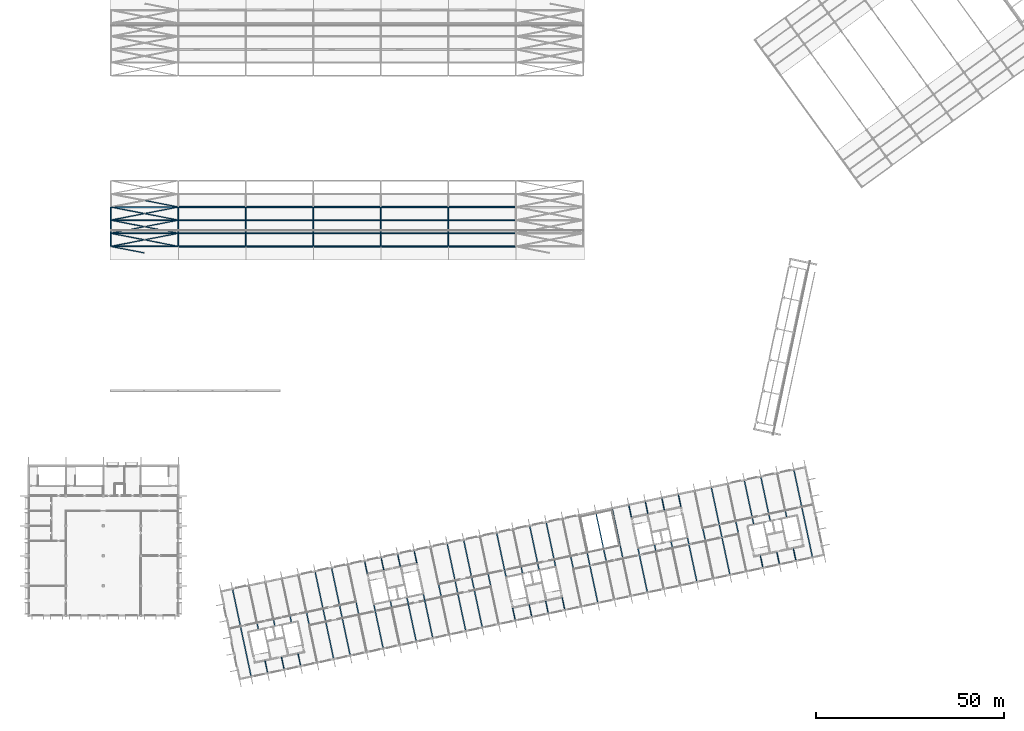
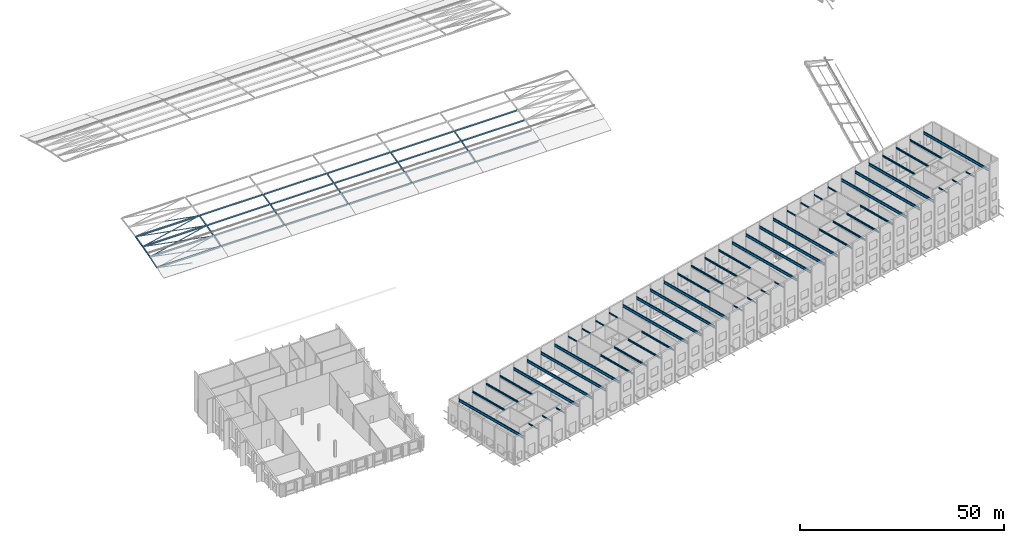
# One storey, part 10 of 69: 53 beams, 53 members.
"""IFC4 building model written with IfcOpenShell, lengths in metres."""

from ifc_helpers import new_model, si_unit, direction, frame, origin, origin_2d, place, context, subcontext, project, spatial, hollow_circle, i_section, extrude, material, material_profile, profile_set, type_object, element, save


model = new_model("IFC4")

# Units and contexts
model_context = context("Model", 3, precision=1e-05, world=origin(), true_north=direction((0.0, 1.0)))
body_context = subcontext(model_context, "Body", "Model", "MODEL_VIEW")
ifc_project = project(units=[si_unit("LENGTHUNIT", "METRE"), si_unit("AREAUNIT", "SQUARE_METRE"), si_unit("VOLUMEUNIT", "CUBIC_METRE"), si_unit("PLANEANGLEUNIT", "RADIAN"), si_unit("MASSUNIT", "GRAM", prefix="KILO")], contexts=[model_context])

# Site, building, storey
site_placement = place(None, origin())
site = spatial("IfcSite", under=ifc_project, at=site_placement, CompositionType="ELEMENT")
building_placement = place(site_placement, origin())
building = spatial("IfcBuilding", under=site, at=building_placement, Name="Okhra Congress Centre", CompositionType="ELEMENT")
storey_placement = place(building_placement, frame((0.0, 0.0, 16.800048828125)))
storey = spatial("IfcBuildingStorey", under=building, at=storey_placement, Name="L03", CompositionType="ELEMENT", Elevation=16.800048828125)

# Members
ifc_material_1 = material(Name="Steel S355J2H", Category="steel")
ifc_material_profile_1 = material_profile(ifc_material_1, hollow_circle(Radius=0.06982421875, WallThickness=0.00634765625, at=origin_2d()), Name="CHS 139.7x6.3")
ifc_profile_set_1 = profile_set([ifc_material_profile_1], Name="Steel S355J2H")
member_type_1 = type_object("IfcMemberType", Name="CHS 139.7x6.3", PredefinedType="BRACE", material=ifc_profile_set_1)
member_1_placement = place(storey_placement, frame((36.844970703125, 140.780029296875, 0.21240234375), z_axis=(-0.979323118912, 0.190430842458, 0.068281205364), x_axis=(-0.190876325854, -0.981614093332, 0.0)))
element("IfcMember", 1, at=member_1_placement, inside=storey, type_object=member_type_1, Name="EH.MEM.L03.XB1-03-2b", PredefinedType="BRACE", context=body_context, shape_type="SweptSolid", body=[
    extrude(hollow_circle(Radius=0.06982421875, WallThickness=0.00634765625, at=origin_2d()), origin(), (0.0, 0.0, 1.0), 8.84228515625),
])
member_2_placement = place(storey_placement, frame((28.185546875, 142.5361328125, 0.84033203125), z_axis=(0.97982688214, 0.190515862858, 0.06035716225), x_axis=(-0.190863837306, 0.981616521667, 0.0)))
element("IfcMember", 2, at=member_2_placement, inside=storey, type_object=member_type_1, Name="EH.MEM.L03.XB1-04-1", PredefinedType="BRACE", context=body_context, shape_type="SweptSolid", body=[
    extrude(hollow_circle(Radius=0.06982421875, WallThickness=0.00634765625, at=origin_2d()), origin(), (0.0, 0.0, 1.0), 17.991943359375),
])
for number, where, z_axis, x_axis, name in (
    (3, (45.814453125, 142.5361328125, 0.84033203125), (-0.97982466082, 0.190521461826, 0.060375546641), (-0.190869659102, -0.981615389669, 0.0), "EH.MEM.L03.XB1-04-2a"),
    (4, (36.8427734375, 144.280517578125, 1.39306640625), (-0.979826295079, 0.190521779599, 0.060348015467), (-0.190869659102, -0.981615389669, 0.0), "EH.MEM.L03.XB1-04-2b"),
):
    element("IfcMember", number, at=place(storey_placement, frame(where, z_axis=z_axis, x_axis=x_axis)), inside=storey, type_object=member_type_1, Name=name, PredefinedType="BRACE", context=body_context, shape_type="SweptSolid", body=[
        extrude(hollow_circle(Radius=0.06982421875, WallThickness=0.00634765625, at=origin_2d()), origin(), (0.0, 0.0, 1.0), 8.83544921875),
    ])
member_3_placement = place(storey_placement, frame((28.185546875, 146.0361328125, 1.94775390625), z_axis=(0.980253173661, 0.190598750252, 0.052686164511), x_axis=(-0.190863837306, 0.981616521667, 0.0)))
element("IfcMember", 5, at=member_3_placement, inside=storey, type_object=member_type_1, Name="EH.MEM.L03.XB1-05-1", PredefinedType="BRACE", context=body_context, shape_type="SweptSolid", body=[
    extrude(hollow_circle(Radius=0.06982421875, WallThickness=0.00634765625, at=origin_2d()), origin(), (0.0, 0.0, 1.0), 17.984130859375),
])
for number, where, z_axis, x_axis, name in (
    (6, (45.814453125, 146.0361328125, 1.94775390625), (-0.980254647479, 0.19058740544, 0.052699781629), (-0.190852614039, -0.981618703833, 0.0), "EH.MEM.L03.XB1-05-2a"),
    (7, (36.841064453125, 147.781005859375, 2.43017578125), (-0.980256075454, 0.190587683076, 0.052672208945), (-0.190852614039, -0.981618703833, 0.0), "EH.MEM.L03.XB1-05-2b"),
):
    element("IfcMember", number, at=place(storey_placement, frame(where, z_axis=z_axis, x_axis=x_axis)), inside=storey, type_object=member_type_1, Name=name, PredefinedType="BRACE", context=body_context, shape_type="SweptSolid", body=[
        extrude(hollow_circle(Radius=0.06982421875, WallThickness=0.00634765625, at=origin_2d()), origin(), (0.0, 0.0, 1.0), 8.829833984375),
    ])
member_4_placement = place(storey_placement, frame((28.185546875, 149.5361328125, 2.913818359375), z_axis=(0.980610453265, 0.190668219087, 0.045263331497), x_axis=(-0.190863837306, 0.981616521667, 0.0)))
element("IfcMember", 8, at=member_4_placement, inside=storey, type_object=member_type_1, Name="EH.MEM.L03.XB1-06-1", PredefinedType="BRACE", context=body_context, shape_type="SweptSolid", body=[
    extrude(hollow_circle(Radius=0.06982421875, WallThickness=0.00634765625, at=origin_2d()), origin(), (0.0, 0.0, 1.0), 17.9775390625),
])
for number, where, z_axis, x_axis, name in (
    (9, (45.814453125, 149.5361328125, 2.913818359375), (-0.98061091853, 0.190666660568, 0.045259816699), (-0.190862246763, -0.981616830928, 0.0), "EH.MEM.L03.XB1-06-2a"),
    (10, (36.83935546875, 151.28125, 3.328125), (-0.98061091853, 0.190666660568, 0.045259816699), (-0.190862246763, -0.981616830928, 0.0), "EH.MEM.L03.XB1-06-2b"),
):
    element("IfcMember", number, at=place(storey_placement, frame(where, z_axis=z_axis, x_axis=x_axis)), inside=storey, type_object=member_type_1, Name=name, PredefinedType="BRACE", context=body_context, shape_type="SweptSolid", body=[
        extrude(hollow_circle(Radius=0.06982421875, WallThickness=0.00634765625, at=origin_2d()), origin(), (0.0, 0.0, 1.0), 8.824951171875),
    ])
member_5_placement = place(storey_placement, frame((45.814453125, 153.0361328125, 3.7431640625), z_axis=(-0.980907961626, 0.190723646725, 0.038000807859), x_axis=(-0.190861504377, -0.981616975274, 0.0)))
element("IfcMember", 11, at=member_5_placement, inside=storey, type_object=member_type_1, Name="EH.MEM.L03.XB1-07-2a", PredefinedType="BRACE", context=body_context, shape_type="SweptSolid", body=[
    extrude(hollow_circle(Radius=0.06982421875, WallThickness=0.00634765625, at=origin_2d()), origin(), (0.0, 0.0, 1.0), 8.821044921875),
])
ifc_material_profile_2 = material_profile(ifc_material_1, hollow_circle(Radius=0.203125, WallThickness=0.01611328125, at=origin_2d()), Name="CHS 406.4x16.0")
ifc_profile_set_2 = profile_set([ifc_material_profile_2], Name="Steel S355J2H")
member_type_2 = type_object("IfcMemberType", Name="CHS 406.4x16.0", PredefinedType="CHORD", material=ifc_profile_set_2)
member_6_placement = place(storey_placement, frame((28.0, 146.0, 1.937744140625), z_axis=(0.0, 0.96385043732, 0.266443867404), x_axis=(-1.0, 0.0, 0.0)))
element("IfcMember", 12, at=member_6_placement, inside=storey, type_object=member_type_2, Name="EH.MEM.L03.T1-TOP-05", PredefinedType="CHORD", context=body_context, shape_type="SweptSolid", body=[
    extrude(hollow_circle(Radius=0.203125, WallThickness=0.01611328125, at=origin_2d()), origin(), (0.0, 0.0, 1.0), 3.63134765625),
])
member_7_placement = place(storey_placement, frame((28.0, 149.5, 2.9052734375), z_axis=(0.0, 0.972964008489, 0.230956788566), x_axis=(-1.0, 0.0, 0.0)))
element("IfcMember", 13, at=member_7_placement, inside=storey, type_object=member_type_2, Name="EH.MEM.L03.T1-TOP-06", PredefinedType="CHORD", context=body_context, shape_type="SweptSolid", body=[
    extrude(hollow_circle(Radius=0.203125, WallThickness=0.01611328125, at=origin_2d()), origin(), (0.0, 0.0, 1.0), 3.59716796875),
])
member_8_placement = place(storey_placement, frame((46.0, 146.0, 1.937744140625), z_axis=(0.0, 0.96385043732, 0.266443867404), x_axis=(-1.0, 0.0, 0.0)))
element("IfcMember", 14, at=member_8_placement, inside=storey, type_object=member_type_2, Name="EH.MEM.L03.T2-TOP-05", PredefinedType="CHORD", context=body_context, shape_type="SweptSolid", body=[
    extrude(hollow_circle(Radius=0.203125, WallThickness=0.01611328125, at=origin_2d()), origin(), (0.0, 0.0, 1.0), 3.63134765625),
])
member_9_placement = place(storey_placement, frame((46.0, 149.5, 2.9052734375), z_axis=(0.0, 0.972964008489, 0.230956788566), x_axis=(-1.0, 0.0, 0.0)))
element("IfcMember", 15, at=member_9_placement, inside=storey, type_object=member_type_2, Name="EH.MEM.L03.T2-TOP-06", PredefinedType="CHORD", context=body_context, shape_type="SweptSolid", body=[
    extrude(hollow_circle(Radius=0.203125, WallThickness=0.01611328125, at=origin_2d()), origin(), (0.0, 0.0, 1.0), 3.59716796875),
])
member_10_placement = place(storey_placement, frame((64.0, 146.0, 1.937744140625), z_axis=(0.0, 0.96385043732, 0.266443867404), x_axis=(-1.0, 0.0, 0.0)))
element("IfcMember", 16, at=member_10_placement, inside=storey, type_object=member_type_2, Name="EH.MEM.L03.T3-TOP-05", PredefinedType="CHORD", context=body_context, shape_type="SweptSolid", body=[
    extrude(hollow_circle(Radius=0.203125, WallThickness=0.01611328125, at=origin_2d()), origin(), (0.0, 0.0, 1.0), 3.63134765625),
])
member_11_placement = place(storey_placement, frame((64.0, 149.5, 2.9052734375), z_axis=(0.0, 0.972964008489, 0.230956788566), x_axis=(-1.0, 0.0, 0.0)))
element("IfcMember", 17, at=member_11_placement, inside=storey, type_object=member_type_2, Name="EH.MEM.L03.T3-TOP-06", PredefinedType="CHORD", context=body_context, shape_type="SweptSolid", body=[
    extrude(hollow_circle(Radius=0.203125, WallThickness=0.01611328125, at=origin_2d()), origin(), (0.0, 0.0, 1.0), 3.59716796875),
])
member_12_placement = place(storey_placement, frame((82.0, 146.0, 1.937744140625), z_axis=(0.0, 0.96385043732, 0.266443867404), x_axis=(-1.0, 0.0, 0.0)))
element("IfcMember", 18, at=member_12_placement, inside=storey, type_object=member_type_2, Name="EH.MEM.L03.T4-TOP-05", PredefinedType="CHORD", context=body_context, shape_type="SweptSolid", body=[
    extrude(hollow_circle(Radius=0.203125, WallThickness=0.01611328125, at=origin_2d()), origin(), (0.0, 0.0, 1.0), 3.63134765625),
])
member_13_placement = place(storey_placement, frame((82.0, 149.5, 2.9052734375), z_axis=(0.0, 0.972964008489, 0.230956788566), x_axis=(-1.0, 0.0, 0.0)))
element("IfcMember", 19, at=member_13_placement, inside=storey, type_object=member_type_2, Name="EH.MEM.L03.T4-TOP-06", PredefinedType="CHORD", context=body_context, shape_type="SweptSolid", body=[
    extrude(hollow_circle(Radius=0.203125, WallThickness=0.01611328125, at=origin_2d()), origin(), (0.0, 0.0, 1.0), 3.59716796875),
])
member_14_placement = place(storey_placement, frame((100.0, 146.0, 1.937744140625), z_axis=(0.0, 0.96385043732, 0.266443867404), x_axis=(-1.0, 0.0, 0.0)))
element("IfcMember", 20, at=member_14_placement, inside=storey, type_object=member_type_2, Name="EH.MEM.L03.T5-TOP-05", PredefinedType="CHORD", context=body_context, shape_type="SweptSolid", body=[
    extrude(hollow_circle(Radius=0.203125, WallThickness=0.01611328125, at=origin_2d()), origin(), (0.0, 0.0, 1.0), 3.63134765625),
])
member_15_placement = place(storey_placement, frame((100.0, 149.5, 2.9052734375), z_axis=(0.0, 0.972964008489, 0.230956788566), x_axis=(-1.0, 0.0, 0.0)))
element("IfcMember", 21, at=member_15_placement, inside=storey, type_object=member_type_2, Name="EH.MEM.L03.T5-TOP-06", PredefinedType="CHORD", context=body_context, shape_type="SweptSolid", body=[
    extrude(hollow_circle(Radius=0.203125, WallThickness=0.01611328125, at=origin_2d()), origin(), (0.0, 0.0, 1.0), 3.59716796875),
])
member_16_placement = place(storey_placement, frame((118.0, 146.0, 1.937744140625), z_axis=(0.0, 0.96385043732, 0.266443867404), x_axis=(-1.0, 0.0, 0.0)))
element("IfcMember", 22, at=member_16_placement, inside=storey, type_object=member_type_2, Name="EH.MEM.L03.T6-TOP-05", PredefinedType="CHORD", context=body_context, shape_type="SweptSolid", body=[
    extrude(hollow_circle(Radius=0.203125, WallThickness=0.01611328125, at=origin_2d()), origin(), (0.0, 0.0, 1.0), 3.63134765625),
])
member_17_placement = place(storey_placement, frame((118.0, 149.5, 2.9052734375), z_axis=(0.0, 0.972964008489, 0.230956788566), x_axis=(-1.0, 0.0, 0.0)))
element("IfcMember", 23, at=member_17_placement, inside=storey, type_object=member_type_2, Name="EH.MEM.L03.T6-TOP-06", PredefinedType="CHORD", context=body_context, shape_type="SweptSolid", body=[
    extrude(hollow_circle(Radius=0.203125, WallThickness=0.01611328125, at=origin_2d()), origin(), (0.0, 0.0, 1.0), 3.59716796875),
])
ifc_material_profile_3 = material_profile(ifc_material_1, hollow_circle(Radius=0.203125, WallThickness=0.02490234375, at=origin_2d()), Name="CHS 406.4x25.0")
ifc_profile_set_3 = profile_set([ifc_material_profile_3], Name="Steel S355J2H")
member_type_3 = type_object("IfcMemberType", Name="CHS 406.4x25.0", PredefinedType="CHORD", material=ifc_profile_set_3)
for number, where, z_axis, x_axis, name in (
    (24, (28.0, 142.5, 0.8291015625), (0.0, 0.953317980071, 0.301968258057), (-1.0, 0.0, 0.0), "EH.MEM.L03.T1-TOP-04"),
    (25, (46.0, 142.5, 0.8291015625), (0.0, 0.953317980071, 0.301968258057), (-1.0, 0.0, 0.0), "EH.MEM.L03.T2-TOP-04"),
    (26, (64.0, 142.5, 0.8291015625), (0.0, 0.953317980071, 0.301968258057), (-1.0, 0.0, 0.0), "EH.MEM.L03.T3-TOP-04"),
    (27, (82.0, 142.5, 0.8291015625), (0.0, 0.953317980071, 0.301968258057), (-1.0, 0.0, 0.0), "EH.MEM.L03.T4-TOP-04"),
    (28, (100.0, 142.5, 0.8291015625), (0.0, 0.953317980071, 0.301968258057), (-1.0, 0.0, 0.0), "EH.MEM.L03.T5-TOP-04"),
    (29, (118.0, 142.5, 0.8291015625), (0.0, 0.953317980071, 0.301968258057), (-1.0, 0.0, 0.0), "EH.MEM.L03.T6-TOP-04"),
):
    element("IfcMember", number, at=place(storey_placement, frame(where, z_axis=z_axis, x_axis=x_axis)), inside=storey, type_object=member_type_3, Name=name, PredefinedType="CHORD", context=body_context, shape_type="SweptSolid", body=[
        extrude(hollow_circle(Radius=0.203125, WallThickness=0.02490234375, at=origin_2d()), origin(), (0.0, 0.0, 1.0), 3.67138671875),
    ])
ifc_material_2 = material(Name="Steel S355J2", Category="steel")
ifc_material_profile_4 = material_profile(ifc_material_2, i_section(OverallWidth=0.300048828125, OverallDepth=0.5, WebThickness=0.014404296875, FlangeThickness=0.028076171875, at=origin_2d()), Name="HE 500 B")
ifc_profile_set_4 = profile_set([ifc_material_profile_4], Name="Steel S355J2")
member_type_4 = type_object("IfcMemberType", Name="HE 500 B", PredefinedType="PURLIN", material=ifc_profile_set_4)
for number, where, z_axis, x_axis, name in (
    (30, (28.203125, 142.5, 0.8291015625), (1.0, 0.0, 0.0), (0.0, 0.94748076881, 0.319812746362), "EH.MEM.L03.PU1-04"),
    (31, (28.203125, 146.0, 1.937744140625), (1.0, 0.0, 0.0), (0.0, 0.958742588403, 0.284275657035), "EH.MEM.L03.PU1-05"),
    (32, (28.203125, 149.5, 2.9052734375), (1.0, 0.0, 0.0), (0.0, 0.96857042866, 0.248739471587), "EH.MEM.L03.PU1-06"),
    (33, (28.203125, 153.0, 3.736083984375), (1.0, 0.0, 0.0), (0.0, 0.977007698866, 0.21320402519), "EH.MEM.L03.PU1-07"),
):
    element("IfcMember", number, at=place(storey_placement, frame(where, z_axis=z_axis, x_axis=x_axis)), inside=storey, type_object=member_type_4, Name=name, PredefinedType="PURLIN", context=body_context, shape_type="SweptSolid", body=[
        extrude(i_section(OverallWidth=0.300048828125, OverallDepth=0.5, WebThickness=0.014404296875, FlangeThickness=0.028076171875, at=origin_2d()), origin(), (0.0, 0.0, 1.0), 17.59375),
    ])
ifc_material_profile_5 = material_profile(ifc_material_2, i_section(OverallWidth=0.199951171875, OverallDepth=0.5, WebThickness=0.01025390625, FlangeThickness=0.01611328125, at=origin_2d()), Name="IPE 500")
ifc_profile_set_5 = profile_set([ifc_material_profile_5], Name="Steel S355J2")
member_type_5 = type_object("IfcMemberType", Name="IPE 500", PredefinedType="PURLIN", material=ifc_profile_set_5)
for number, where, z_axis, x_axis, name in (
    (34, (46.203125, 142.5, 0.8291015625), (1.0, 0.0, 0.0), (0.0, 0.94748076881, 0.319812746362), "EH.MEM.L03.PU2-04"),
    (35, (46.203125, 146.0, 1.937744140625), (1.0, 0.0, 0.0), (0.0, 0.958742588403, 0.284275657035), "EH.MEM.L03.PU2-05"),
    (36, (46.203125, 149.5, 2.9052734375), (1.0, 0.0, 0.0), (0.0, 0.96857042866, 0.248739471587), "EH.MEM.L03.PU2-06"),
    (37, (46.203125, 153.0, 3.736083984375), (1.0, 0.0, 0.0), (0.0, 0.977007698866, 0.21320402519), "EH.MEM.L03.PU2-07"),
    (38, (64.203125, 142.5, 0.8291015625), (1.0, 0.0, 0.0), (0.0, 0.94748076881, 0.319812746362), "EH.MEM.L03.PU3-04"),
    (39, (64.203125, 146.0, 1.937744140625), (1.0, 0.0, 0.0), (0.0, 0.958742588403, 0.284275657035), "EH.MEM.L03.PU3-05"),
    (40, (64.203125, 149.5, 2.9052734375), (1.0, 0.0, 0.0), (0.0, 0.96857042866, 0.248739471587), "EH.MEM.L03.PU3-06"),
    (41, (64.203125, 153.0, 3.736083984375), (1.0, 0.0, 0.0), (0.0, 0.977007698866, 0.21320402519), "EH.MEM.L03.PU3-07"),
    (42, (82.203125, 142.5, 0.8291015625), (1.0, 0.0, 0.0), (0.0, 0.94748076881, 0.319812746362), "EH.MEM.L03.PU4-04"),
    (43, (82.203125, 146.0, 1.937744140625), (1.0, 0.0, 0.0), (0.0, 0.958742588403, 0.284275657035), "EH.MEM.L03.PU4-05"),
    (44, (82.203125, 149.5, 2.9052734375), (1.0, 0.0, 0.0), (0.0, 0.96857042866, 0.248739471587), "EH.MEM.L03.PU4-06"),
    (45, (82.203125, 153.0, 3.736083984375), (1.0, 0.0, 0.0), (0.0, 0.977007698866, 0.21320402519), "EH.MEM.L03.PU4-07"),
    (46, (100.203125, 142.5, 0.8291015625), (1.0, 0.0, 0.0), (0.0, 0.94748076881, 0.319812746362), "EH.MEM.L03.PU5-04"),
    (47, (100.203125, 146.0, 1.937744140625), (1.0, 0.0, 0.0), (0.0, 0.958742588403, 0.284275657035), "EH.MEM.L03.PU5-05"),
    (48, (100.203125, 149.5, 2.9052734375), (1.0, 0.0, 0.0), (0.0, 0.96857042866, 0.248739471587), "EH.MEM.L03.PU5-06"),
    (49, (100.203125, 153.0, 3.736083984375), (1.0, 0.0, 0.0), (0.0, 0.977007698866, 0.21320402519), "EH.MEM.L03.PU5-07"),
    (50, (118.203125, 142.5, 0.8291015625), (1.0, 0.0, 0.0), (0.0, 0.94748076881, 0.319812746362), "EH.MEM.L03.PU6-04"),
    (51, (118.203125, 146.0, 1.937744140625), (1.0, 0.0, 0.0), (0.0, 0.958742588403, 0.284275657035), "EH.MEM.L03.PU6-05"),
    (52, (118.203125, 149.5, 2.9052734375), (1.0, 0.0, 0.0), (0.0, 0.96857042866, 0.248739471587), "EH.MEM.L03.PU6-06"),
    (53, (118.203125, 153.0, 3.736083984375), (1.0, 0.0, 0.0), (0.0, 0.977007698866, 0.21320402519), "EH.MEM.L03.PU6-07"),
):
    element("IfcMember", number, at=place(storey_placement, frame(where, z_axis=z_axis, x_axis=x_axis)), inside=storey, type_object=member_type_5, Name=name, PredefinedType="PURLIN", context=body_context, shape_type="SweptSolid", body=[
        extrude(i_section(OverallWidth=0.199951171875, OverallDepth=0.5, WebThickness=0.01025390625, FlangeThickness=0.01611328125, at=origin_2d()), origin(), (0.0, 0.0, 1.0), 17.59375),
    ])

# Beams
ifc_material_profile_6 = material_profile(ifc_material_2, i_section(OverallWidth=0.300048828125, OverallDepth=0.489990234375, WebThickness=0.011962890625, FlangeThickness=0.02294921875, FilletRadius=0.027099609375, at=origin_2d()), Name="HE 500 A")
ifc_profile_set_6 = profile_set([ifc_material_profile_6], Name="Steel S355J2")
beam_type_1 = type_object("IfcBeamType", Name="Roof beam HE 500 A", PredefinedType="BEAM", material=ifc_profile_set_6)
for number, where, z_axis, x_axis, name in (
    (54, (67.324462890625, 40.393798828125, 6.4287109375), (-0.207625498808, 0.976806451196, -0.052352737715), (-0.9781478292, -0.207910615964, 0.0), "Roof beam 2.2"),
    (55, (71.726318359375, 41.329345703125, 6.66943359375), (-0.207625721838, 0.976807500479, -0.052332271492), (-0.9781478292, -0.207910615964, 0.0), "Roof beam 3.2"),
    (56, (76.1279296875, 42.264892578125, 6.91015625), (-0.207625721838, 0.976807500479, -0.052332271492), (-0.9781478292, -0.207910615964, 0.0), "Roof beam 4.2"),
    (57, (100.595703125, 35.37158203125, 8.73388671875), (-0.207625721838, 0.976807500479, -0.052332271492), (-0.9781478292, -0.207910615964, 0.0), "Roof beam 9.1"),
    (58, (104.99755859375, 36.30712890625, 8.974853515625), (-0.207625498808, 0.976806451196, -0.052352737715), (-0.9781478292, -0.207910615964, 0.0), "Roof beam 10.1"),
    (59, (109.399169921875, 37.24267578125, 9.215576171875), (-0.207625721838, 0.976807500479, -0.052332271492), (-0.9781478292, -0.207910615964, 0.0), "Roof beam 11.1"),
    (60, (113.80078125, 38.17822265625, 9.456298828125), (-0.207625721838, 0.976807500479, -0.052332271492), (-0.9781478292, -0.207910615964, 0.0), "Roof beam 12.1"),
    (61, (133.349609375, 54.427734375, 10.0400390625), (-0.207625721838, 0.976807500479, -0.052332271492), (-0.9781478292, -0.207910615964, 0.0), "Roof beam 17.2"),
):
    element("IfcBeam", number, at=place(storey_placement, frame(where, z_axis=z_axis, x_axis=x_axis)), inside=storey, type_object=beam_type_1, Name=name, PredefinedType="BEAM", context=body_context, shape_type="SweptSolid", body=[
        extrude(i_section(OverallWidth=0.300048828125, OverallDepth=0.489990234375, WebThickness=0.011962890625, FlangeThickness=0.02294921875, FilletRadius=0.027099609375, at=origin_2d()), origin(), (0.0, 0.0, 1.0), 11.896240234375),
    ])
beam_1_placement = place(storey_placement, frame((137.751220703125, 55.36328125, 10.281005859375), z_axis=(-0.207621336735, 0.976807392104, -0.052351688249), x_axis=(-0.978148717512, -0.207906436721, 0.0)))
element("IfcBeam", 62, at=beam_1_placement, inside=storey, type_object=beam_type_1, Name="Roof beam 18.2", PredefinedType="BEAM", context=body_context, shape_type="SweptSolid", body=[
    extrude(i_section(OverallWidth=0.300048828125, OverallDepth=0.489990234375, WebThickness=0.011962890625, FlangeThickness=0.02294921875, FilletRadius=0.027099609375, at=origin_2d()), origin(), (0.0, 0.0, 1.0), 11.896484375),
])
for number, where, z_axis, x_axis, name in (
    (63, (142.15283203125, 56.299072265625, 10.521728515625), (-0.207625721838, 0.976807500479, -0.052332271492), (-0.9781478292, -0.207910615964, 0.0), "Roof beam 19.2"),
    (64, (146.554443359375, 57.234619140625, 10.762451171875), (-0.207625721838, 0.976807500479, -0.052332271492), (-0.9781478292, -0.207910615964, 0.0), "Roof beam 20.2"),
    (65, (171.0224609375, 50.341064453125, 12.586181640625), (-0.207625721838, 0.976807500479, -0.052332271492), (-0.9781478292, -0.207910615964, 0.0), "Roof beam 25.1"),
    (66, (175.424072265625, 51.27685546875, 12.8271484375), (-0.207625498808, 0.976806451196, -0.052352737715), (-0.9781478292, -0.207910615964, 0.0), "Roof beam 26.1"),
    (67, (179.82568359375, 52.21240234375, 13.06787109375), (-0.207625721838, 0.976807500479, -0.052332271492), (-0.9781478292, -0.207910615964, 0.0), "Roof beam 27.1"),
    (68, (184.2275390625, 53.14794921875, 13.30859375), (-0.207625721838, 0.976807500479, -0.052332271492), (-0.9781478292, -0.207910615964, 0.0), "Roof beam 28.1"),
    (69, (199.37451171875, 68.4619140625, 13.651611328125), (-0.207625721838, 0.976807500479, -0.052332271492), (-0.9781478292, -0.207910615964, 0.0), "Roof beam 32.2"),
    (70, (203.776123046875, 69.3974609375, 13.892578125), (-0.207625498808, 0.976806451196, -0.052352737715), (-0.9781478292, -0.207910615964, 0.0), "Roof beam 33.2"),
    (71, (208.177734375, 70.3330078125, 14.13330078125), (-0.207625721838, 0.976807500479, -0.052332271492), (-0.9781478292, -0.207910615964, 0.0), "Roof beam 34.2"),
):
    element("IfcBeam", number, at=place(storey_placement, frame(where, z_axis=z_axis, x_axis=x_axis)), inside=storey, type_object=beam_type_1, Name=name, PredefinedType="BEAM", context=body_context, shape_type="SweptSolid", body=[
        extrude(i_section(OverallWidth=0.300048828125, OverallDepth=0.489990234375, WebThickness=0.011962890625, FlangeThickness=0.02294921875, FilletRadius=0.027099609375, at=origin_2d()), origin(), (0.0, 0.0, 1.0), 11.896240234375),
    ])
ifc_material_profile_7 = material_profile(ifc_material_2, i_section(OverallWidth=0.300048828125, OverallDepth=0.7900390625, WebThickness=0.014892578125, FlangeThickness=0.028076171875, FilletRadius=0.030029296875, at=origin_2d()), Name="HE 800 A")
ifc_profile_set_7 = profile_set([ifc_material_profile_7], Name="Steel S355J2")
beam_type_2 = type_object("IfcBeamType", Name="Roof beam HE 800 A", PredefinedType="BEAM", material=ifc_profile_set_7)
for number, where, z_axis, x_axis, name in (
    (72, (65.382568359375, 27.88671875, 6.65771484375), (-0.207630670768, 0.976806058782, -0.052339546068), (-0.97814675895, -0.207915651059, 0.0), "Roof beam 1.1"),
    (73, (82.9892578125, 31.629150390625, 7.62060546875), (-0.207630782504, 0.976806584446, -0.05232929141), (-0.97814675895, -0.207915651059, 0.0), "Roof beam 5.1"),
    (74, (87.390869140625, 32.564697265625, 7.861572265625), (-0.207630670768, 0.976806058782, -0.052339546068), (-0.97814675895, -0.207915651059, 0.0), "Roof beam 6.1"),
    (75, (91.79248046875, 33.500244140625, 8.102294921875), (-0.207630670768, 0.976806058782, -0.052339546068), (-0.97814675895, -0.207915651059, 0.0), "Roof beam 7.1"),
):
    element("IfcBeam", number, at=place(storey_placement, frame(where, z_axis=z_axis, x_axis=x_axis)), inside=storey, type_object=beam_type_2, Name=name, PredefinedType="BEAM", context=body_context, shape_type="SweptSolid", body=[
        extrude(i_section(OverallWidth=0.300048828125, OverallDepth=0.7900390625, WebThickness=0.014892578125, FlangeThickness=0.028076171875, FilletRadius=0.030029296875, at=origin_2d()), origin(), (0.0, 0.0, 1.0), 23.74267578125),
    ])
beam_2_placement = place(storey_placement, frame((96.194091796875, 34.435791015625, 8.343017578125), z_axis=(-0.207620831215, 0.976808144246, -0.052339657812), x_axis=(-0.978148853013, -0.207905799221, 0.0)))
element("IfcBeam", 76, at=beam_2_placement, inside=storey, type_object=beam_type_2, Name="Roof beam 8.1", PredefinedType="BEAM", context=body_context, shape_type="SweptSolid", body=[
    extrude(i_section(OverallWidth=0.300048828125, OverallDepth=0.7900390625, WebThickness=0.014892578125, FlangeThickness=0.028076171875, FilletRadius=0.030029296875, at=origin_2d()), origin(), (0.0, 0.0, 1.0), 23.742431640625),
])
beam_3_placement = place(storey_placement, frame((118.202392578125, 39.114013671875, 9.546875), z_axis=(-0.207622916655, 0.976807672813, -0.052340183536), x_axis=(-0.978148407922, -0.207907893259, 0.0)))
element("IfcBeam", 77, at=beam_3_placement, inside=storey, type_object=beam_type_2, Name="Roof beam 13.1", PredefinedType="BEAM", context=body_context, shape_type="SweptSolid", body=[
    extrude(i_section(OverallWidth=0.300048828125, OverallDepth=0.7900390625, WebThickness=0.014892578125, FlangeThickness=0.028076171875, FilletRadius=0.030029296875, at=origin_2d()), origin(), (0.0, 0.0, 1.0), 23.7421875),
])
for number, where, z_axis, x_axis, name in (
    (78, (122.604248046875, 40.049560546875, 9.78759765625), (-0.207630670768, 0.976806058782, -0.052339546068), (-0.97814675895, -0.207915651059, 0.0), "Roof beam 14.1"),
    (79, (127.005859375, 40.985107421875, 10.0283203125), (-0.207630782504, 0.976806584446, -0.05232929141), (-0.97814675895, -0.207915651059, 0.0), "Roof beam 15.1"),
    (80, (131.407470703125, 41.920654296875, 10.26904296875), (-0.207630782504, 0.976806584446, -0.05232929141), (-0.97814675895, -0.207915651059, 0.0), "Roof beam 16.1"),
):
    element("IfcBeam", number, at=place(storey_placement, frame(where, z_axis=z_axis, x_axis=x_axis)), inside=storey, type_object=beam_type_2, Name=name, PredefinedType="BEAM", context=body_context, shape_type="SweptSolid", body=[
        extrude(i_section(OverallWidth=0.300048828125, OverallDepth=0.7900390625, WebThickness=0.014892578125, FlangeThickness=0.028076171875, FilletRadius=0.030029296875, at=origin_2d()), origin(), (0.0, 0.0, 1.0), 23.74267578125),
    ])
for number, where, z_axis, x_axis, name in (
    (81, (153.415771484375, 46.5986328125, 11.472900390625), (-0.207620942946, 0.976808669913, -0.052329403133), (-0.978148853013, -0.207905799221, 0.0), "Roof beam 21.1"),
    (82, (157.8173828125, 47.534423828125, 11.7138671875), (-0.207620831215, 0.976808144246, -0.052339657812), (-0.978148853013, -0.207905799221, 0.0), "Roof beam 22.1"),
):
    element("IfcBeam", number, at=place(storey_placement, frame(where, z_axis=z_axis, x_axis=x_axis)), inside=storey, type_object=beam_type_2, Name=name, PredefinedType="BEAM", context=body_context, shape_type="SweptSolid", body=[
        extrude(i_section(OverallWidth=0.300048828125, OverallDepth=0.7900390625, WebThickness=0.014892578125, FlangeThickness=0.028076171875, FilletRadius=0.030029296875, at=origin_2d()), origin(), (0.0, 0.0, 1.0), 23.742431640625),
    ])
for number, where, z_axis, x_axis, name in (
    (83, (162.21923828125, 48.469970703125, 11.95458984375), (-0.207630670768, 0.976806058782, -0.052339546068), (-0.97814675895, -0.207915651059, 0.0), "Roof beam 23.1"),
    (84, (166.620849609375, 49.405517578125, 12.1953125), (-0.207630670768, 0.976806058782, -0.052339546068), (-0.97814675895, -0.207915651059, 0.0), "Roof beam 24.1"),
    (85, (188.629150390625, 54.08349609375, 13.399169921875), (-0.207630670768, 0.976806058782, -0.052339546068), (-0.97814675895, -0.207915651059, 0.0), "Roof beam 29.1"),
    (86, (193.03076171875, 55.01904296875, 13.639892578125), (-0.207630782504, 0.976806584446, -0.05232929141), (-0.97814675895, -0.207915651059, 0.0), "Roof beam 30.1"),
):
    element("IfcBeam", number, at=place(storey_placement, frame(where, z_axis=z_axis, x_axis=x_axis)), inside=storey, type_object=beam_type_2, Name=name, PredefinedType="BEAM", context=body_context, shape_type="SweptSolid", body=[
        extrude(i_section(OverallWidth=0.300048828125, OverallDepth=0.7900390625, WebThickness=0.014892578125, FlangeThickness=0.028076171875, FilletRadius=0.030029296875, at=origin_2d()), origin(), (0.0, 0.0, 1.0), 23.74267578125),
    ])
for number, where, z_axis, x_axis, name in (
    (87, (197.432373046875, 55.954833984375, 13.880615234375), (-0.207620942946, 0.976808669913, -0.052329403133), (-0.978148853013, -0.207905799221, 0.0), "Roof beam 31.1"),
    (88, (215.0390625, 59.697265625, 14.84375), (-0.207620942946, 0.976808669913, -0.052329403133), (-0.978148853013, -0.207905799221, 0.0), "Roof beam 35.1"),
):
    element("IfcBeam", number, at=place(storey_placement, frame(where, z_axis=z_axis, x_axis=x_axis)), inside=storey, type_object=beam_type_2, Name=name, PredefinedType="BEAM", context=body_context, shape_type="SweptSolid", body=[
        extrude(i_section(OverallWidth=0.300048828125, OverallDepth=0.7900390625, WebThickness=0.014892578125, FlangeThickness=0.028076171875, FilletRadius=0.030029296875, at=origin_2d()), origin(), (0.0, 0.0, 1.0), 23.742431640625),
    ])
ifc_material_profile_8 = material_profile(ifc_material_2, i_section(OverallWidth=0.179931640625, OverallDepth=0.39990234375, WebThickness=0.008544921875, FlangeThickness=0.013427734375, FilletRadius=0.02099609375, at=origin_2d()), Name="IPE 400")
ifc_profile_set_8 = profile_set([ifc_material_profile_8], Name="Steel S355J2")
beam_type_3 = type_object("IfcBeamType", Name="Roof beam stub IPE 400", PredefinedType="BEAM", material=ifc_profile_set_8)
for number, where, z_axis, x_axis, name in (
    (89, (69.7841796875, 28.822265625, 7.09375), (-0.207648298341, 0.97679993778, -0.052383830988), (-0.97814290393, -0.207933786316, 0.0), "Roof beam 2.1"),
    (90, (74.185791015625, 29.7578125, 7.33447265625), (-0.207648298341, 0.97679993778, -0.052383830988), (-0.97814290393, -0.207933786316, 0.0), "Roof beam 3.1"),
    (91, (78.58740234375, 30.693359375, 7.5751953125), (-0.207576890388, 0.976819104911, -0.052309376378), (-0.978158274612, -0.20786146783, 0.0), "Roof beam 4.1"),
    (92, (96.337890625, 55.404052734375, 7.705810546875), (-0.207648298341, 0.97679993778, -0.052383830988), (-0.97814290393, -0.207933786316, 0.0), "Roof beam 9.2"),
    (93, (100.739501953125, 56.339599609375, 7.946533203125), (-0.207649118793, 0.976803797273, -0.052308556642), (-0.97814290393, -0.207933786316, 0.0), "Roof beam 10.2"),
    (94, (105.14111328125, 57.275146484375, 8.187255859375), (-0.207649118793, 0.976803797273, -0.052308556642), (-0.97814290393, -0.207933786316, 0.0), "Roof beam 11.2"),
    (95, (109.542724609375, 58.210693359375, 8.427978515625), (-0.207576890388, 0.976819104911, -0.052309376378), (-0.978158274612, -0.20786146783, 0.0), "Roof beam 12.2"),
    (96, (135.80908203125, 42.856201171875, 10.705322265625), (-0.207576070196, 0.976815245237, -0.052384651897), (-0.978158274612, -0.20786146783, 0.0), "Roof beam 17.1"),
    (97, (140.210693359375, 43.7919921875, 10.946044921875), (-0.207576070196, 0.976815245237, -0.052384651897), (-0.978158274612, -0.20786146783, 0.0), "Roof beam 18.1"),
    (98, (144.612548828125, 44.7275390625, 11.186767578125), (-0.207649118793, 0.976803797273, -0.052308556642), (-0.97814290393, -0.207933786316, 0.0), "Roof beam 19.1"),
    (99, (149.01416015625, 45.6630859375, 11.427490234375), (-0.207649118793, 0.976803797273, -0.052308556642), (-0.97814290393, -0.207933786316, 0.0), "Roof beam 20.1"),
    (100, (166.764404296875, 70.37353515625, 11.55810546875), (-0.207648298341, 0.97679993778, -0.052383830988), (-0.97814290393, -0.207933786316, 0.0), "Roof beam 25.2"),
    (101, (171.166015625, 71.30908203125, 11.798828125), (-0.207576890388, 0.976819104911, -0.052309376378), (-0.978158274612, -0.20786146783, 0.0), "Roof beam 26.2"),
    (102, (175.567626953125, 72.244873046875, 12.03955078125), (-0.207576890388, 0.976819104911, -0.052309376378), (-0.978158274612, -0.20786146783, 0.0), "Roof beam 27.2"),
    (103, (179.969482421875, 73.180419921875, 12.2802734375), (-0.207649118793, 0.976803797273, -0.052308556642), (-0.97814290393, -0.207933786316, 0.0), "Roof beam 28.2"),
    (104, (201.833984375, 56.890380859375, 14.316650390625), (-0.207576890388, 0.976819104911, -0.052309376378), (-0.978158274612, -0.20786146783, 0.0), "Roof beam 32.1"),
    (105, (206.23583984375, 57.825927734375, 14.5576171875), (-0.207648298341, 0.97679993778, -0.052383830988), (-0.97814290393, -0.207933786316, 0.0), "Roof beam 33.1"),
    (106, (210.637451171875, 58.761474609375, 14.79833984375), (-0.207648298341, 0.97679993778, -0.052383830988), (-0.97814290393, -0.207933786316, 0.0), "Roof beam 34.1"),
):
    element("IfcBeam", number, at=place(storey_placement, frame(where, z_axis=z_axis, x_axis=x_axis)), inside=storey, type_object=beam_type_3, Name=name, PredefinedType="BEAM", context=body_context, shape_type="SweptSolid", body=[
        extrude(i_section(OverallWidth=0.179931640625, OverallDepth=0.39990234375, WebThickness=0.008544921875, FlangeThickness=0.013427734375, FilletRadius=0.02099609375, at=origin_2d()), origin(), (0.0, 0.0, 1.0), 3.234375),
    ])

save(model, "model.ifc")
